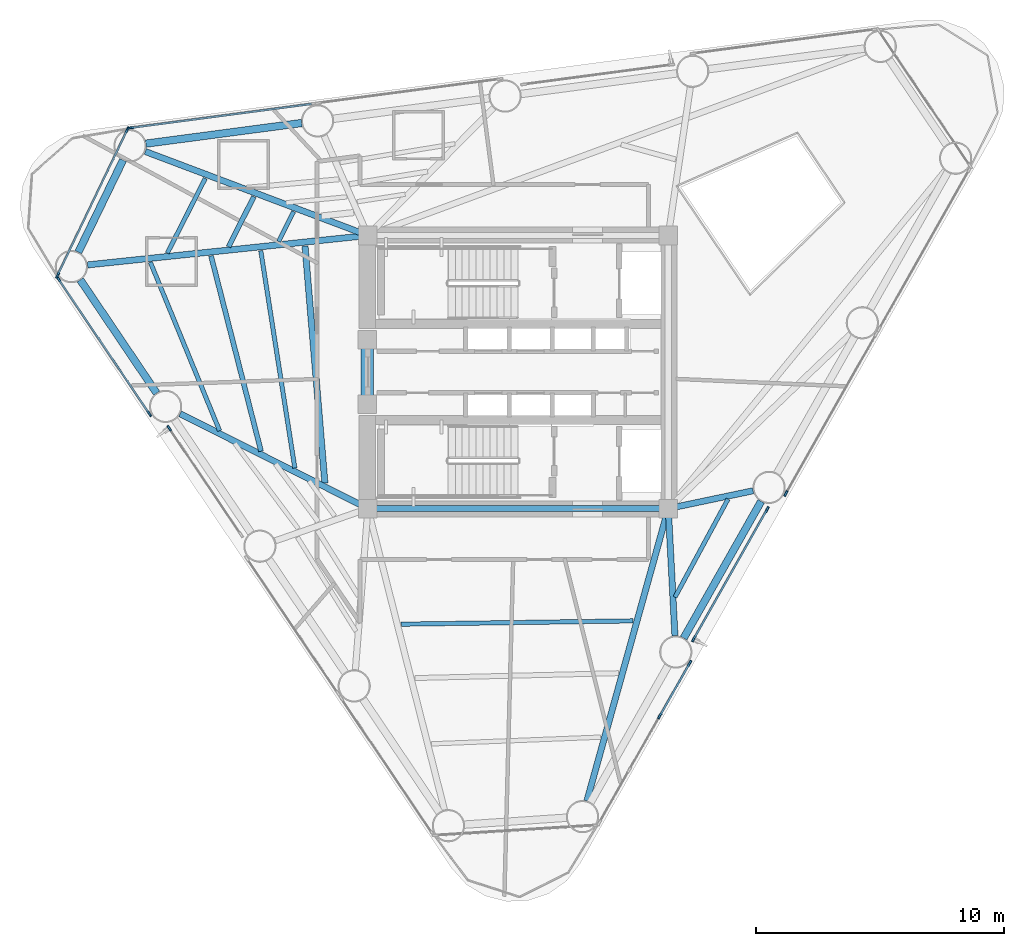
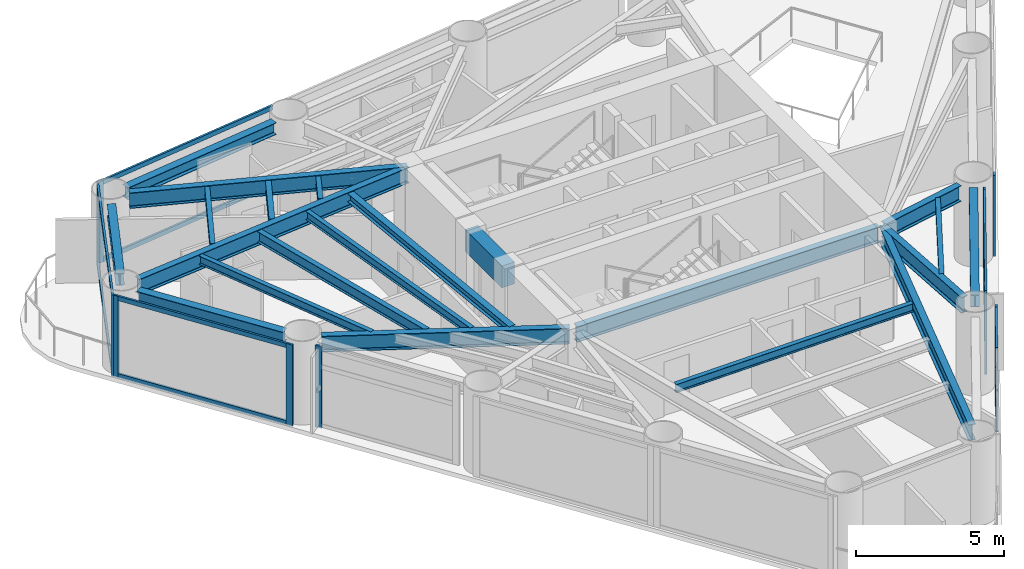
# One storey, part 2 of 9: 23 members, 21 beams, 7 elements without a shape of their own.
"""IFC4 building model written with IfcOpenShell, lengths in metres."""

import ifcopenshell
import ifcopenshell.guid

model = None  # the IFC model being written
_history = None  # IfcOwnerHistory: only IFC2X3 demands one
_inside = {}  # id of a spatial element -> (the spatial element, [elements in it])
_under = {}  # id of a project, library or spatial element -> (it, [spatial elements below it])
_declared = {}  # id of a project -> (the project, [libraries it declares])
_typed = {}  # id of a type object -> (the type object, [elements of that type])
_made_of = {}  # id of a material, layer set ... -> (it, [elements and type objects made of it])


def new_model(schema):
    """Start an empty IFC model of exactly this schema.

    Asked for "IFC4X3", IfcOpenShell would pick the latest addendum, in which some entities
    have other attributes; the version numbers below select the first issue.
    IFC2X3 requires an IfcOwnerHistory on every rooted entity: one is made here for all.
    """
    global model, _history
    if schema == "IFC4X3":
        model = ifcopenshell.file(schema_version=(4, 3, 0, 0))
    else:
        model = ifcopenshell.file(schema=schema)
    _inside.clear()
    _under.clear()
    _declared.clear()
    _typed.clear()
    _made_of.clear()
    _history = None
    if model.schema == "IFC2X3":
        org = make("IfcOrganization", Name="unknown")
        user = make(
            "IfcPersonAndOrganization",
            ThePerson=make("IfcPerson", FamilyName="unknown"),
            TheOrganization=org,
        )
        app = make(
            "IfcApplication",
            ApplicationDeveloper=org,
            Version="unknown",
            ApplicationFullName="unknown",
            ApplicationIdentifier="unknown",
        )
        _history = make(
            "IfcOwnerHistory",
            OwningUser=user,
            OwningApplication=app,
            ChangeAction="ADDED",
            CreationDate=0,
        )
    return model


def make(cls, **values):
    """One entity of the class cls with the attributes given. An attribute that is None is left unset."""
    return model.create_entity(
        cls, **{name: value for name, value in values.items() if value is not None}
    )


def rooted(cls, **values):
    """An entity with a GlobalId (a new one), such as an element, a storey or a relation."""
    return make(cls, GlobalId=ifcopenshell.guid.new(), OwnerHistory=_history, **values)


def si_unit(unit_type, name, prefix=None):
    """IfcSIUnit, for example si_unit("LENGTHUNIT", "METRE", prefix="MILLI")."""
    return make("IfcSIUnit", UnitType=unit_type, Prefix=prefix, Name=name)


def assignment(units):
    """IfcUnitAssignment: the units of a project."""
    return None if units is None else make("IfcUnitAssignment", Units=units)


def point(xyz):
    """IfcCartesianPoint."""
    return None if xyz is None else make("IfcCartesianPoint", Coordinates=xyz)


def direction(xyz):
    """IfcDirection."""
    return None if xyz is None else make("IfcDirection", DirectionRatios=xyz)


def frame(location, z_axis=None, x_axis=None):
    """IfcAxis2Placement3D, a coordinate frame: its origin and axes. An axis left out is left unset."""
    return make(
        "IfcAxis2Placement3D",
        Location=point(location),
        Axis=direction(z_axis),
        RefDirection=direction(x_axis),
    )


def frame_2d(location, x_axis=None):
    """IfcAxis2Placement2D, a coordinate frame in the plane: its origin and x axis."""
    return make(
        "IfcAxis2Placement2D", Location=point(location), RefDirection=direction(x_axis)
    )


def origin():
    """The frame at (0, 0, 0) with its axes left unset."""
    return frame((0.0, 0.0, 0.0))


def origin_2d():
    """The frame at (0, 0) in the plane with its x axis left unset."""
    return frame_2d((0.0, 0.0))


def place(relative_to, where):
    """IfcLocalPlacement: puts the frame where relative to a parent placement (None: the world)."""
    return make(
        "IfcLocalPlacement", PlacementRelTo=relative_to, RelativePlacement=where
    )


def context(
    kind, dimensions, precision=None, world=None, true_north=None, identifier=None
):
    """IfcGeometricRepresentationContext, for example the 3D "Model" context."""
    return make(
        "IfcGeometricRepresentationContext",
        ContextIdentifier=identifier,
        ContextType=kind,
        CoordinateSpaceDimension=dimensions,
        Precision=precision,
        WorldCoordinateSystem=world,
        TrueNorth=true_north,
    )


def subcontext(parent, identifier, kind, view, scale=None):
    """IfcGeometricRepresentationSubContext, for example "Body" below "Model"."""
    return make(
        "IfcGeometricRepresentationSubContext",
        ContextIdentifier=identifier,
        ContextType=kind,
        ParentContext=parent,
        TargetScale=scale,
        TargetView=view,
    )


def project(units=None, contexts=None):
    """IfcProject with its units and contexts."""
    return rooted(
        "IfcProject",
        Name="project",
        RepresentationContexts=contexts,
        UnitsInContext=assignment(units),
    )


def spatial(cls, under=None, at=None, **own):
    """A site, building, storey or space (cls), placed at a placement, below another one or the project."""
    s = rooted(cls, ObjectPlacement=at, **own)
    if under is not None:
        _under.setdefault(under.id(), (under, []))[1].append(s)
    return s


def profile(cls, at=None, kind="AREA", **sizes):
    """A parametric profile (cls). Its sizes go by their IFC names, for example OverallWidth=200.0."""
    return make(cls, ProfileType=kind, Position=at, **sizes)


def rectangle(**sizes):
    """IfcRectangleProfileDef."""
    return profile("IfcRectangleProfileDef", **sizes)


def i_section(**sizes):
    """IfcIShapeProfileDef."""
    return profile("IfcIShapeProfileDef", **sizes)


def extrude(swept, where, along, depth):
    """IfcExtrudedAreaSolid: the profile swept, set in the frame where, extruded along a direction by depth."""
    return make(
        "IfcExtrudedAreaSolid",
        SweptArea=swept,
        Position=where,
        ExtrudedDirection=direction(along),
        Depth=depth,
    )


def shape(context_of_items, identifier, shape_type, items):
    """IfcShapeRepresentation: the items that make up one representation, for example the "Body"."""
    return make(
        "IfcShapeRepresentation",
        ContextOfItems=context_of_items,
        RepresentationIdentifier=identifier,
        RepresentationType=shape_type,
        Items=items,
    )


def source(mapping_origin, context_of_items, identifier, shape_type, items):
    """IfcRepresentationMap: a shape defined once, which mapped items show again and again."""
    return make(
        "IfcRepresentationMap",
        MappingOrigin=mapping_origin,
        MappedRepresentation=shape(context_of_items, identifier, shape_type, items),
    )


def transform(
    local_origin,
    x_axis=None,
    y_axis=None,
    z_axis=None,
    scale=None,
    scale2=None,
    scale3=None,
    uniform=True,
):
    """IfcCartesianTransformationOperator3D, or its non-uniform kind. x_axis, y_axis, z_axis: its Axis1, 2, 3."""
    if uniform:
        return make(
            "IfcCartesianTransformationOperator3D",
            Axis1=direction(x_axis),
            Axis2=direction(y_axis),
            LocalOrigin=point(local_origin),
            Scale=scale,
            Axis3=direction(z_axis),
        )
    return make(
        "IfcCartesianTransformationOperator3DnonUniform",
        Axis1=direction(x_axis),
        Axis2=direction(y_axis),
        LocalOrigin=point(local_origin),
        Scale=scale,
        Axis3=direction(z_axis),
        Scale2=scale2,
        Scale3=scale3,
    )


def mapped(mapping_source, mapping_target):
    """IfcMappedItem: shows the shape of a source again, moved by a transform."""
    return make(
        "IfcMappedItem", MappingSource=mapping_source, MappingTarget=mapping_target
    )


def material(Name=None, Category=None):
    """IfcMaterial."""
    return make("IfcMaterial", Name=Name, Category=Category)


def layer(
    of_material, thickness, ventilated=None, Name=None, Category=None, Priority=None
):
    """IfcMaterialLayer: one layer of a wall or slab, of a material (None: an air gap)."""
    return make(
        "IfcMaterialLayer",
        Material=of_material,
        LayerThickness=thickness,
        IsVentilated=ventilated,
        Name=Name,
        Category=Category,
        Priority=Priority,
    )


def layer_set(layers, Name=None):
    """IfcMaterialLayerSet."""
    return make("IfcMaterialLayerSet", MaterialLayers=layers, LayerSetName=Name)


def material_profile(
    of_material, cross_section, Name=None, Category=None, Priority=None
):
    """IfcMaterialProfile: a cross section and its material."""
    return make(
        "IfcMaterialProfile",
        Name=Name,
        Material=of_material,
        Profile=cross_section,
        Priority=Priority,
        Category=Category,
    )


def profile_set(profiles, Name=None, composite=None):
    """IfcMaterialProfileSet."""
    return make(
        "IfcMaterialProfileSet",
        Name=Name,
        MaterialProfiles=profiles,
        CompositeProfile=composite,
    )


def made_of(thing, what):
    """Note that an element or type object is made of a material, layer set ...; save() writes the relation."""
    if what is not None:
        _made_of.setdefault(what.id(), (what, []))[1].append(thing)
    return thing


def type_object(cls, material=None, **own):
    """A type object (cls), such as IfcWallType, which elements share."""
    return made_of(rooted(cls, **own), material)


def element(
    cls,
    number,
    at=None,
    inside=None,
    cuts=None,
    type_object=None,
    material=None,
    context=None,
    identifier="Body",
    shape_type=None,
    held_by="IfcProductDefinitionShape",
    body=None,
    shapes=None,
    **own,
):
    """One element of the class cls, such as IfcWall. Its Tag is "e" and its number.

    at: its placement. inside: the storey or other place that contains it. cuts: it is an
    opening in that element (IfcRelVoidsElement). A single representation is given by context,
    identifier, shape_type and body (its items); several are given by shapes. held_by: the class
    of the entity that holds the representations. save() writes the other relations.
    """
    e = rooted(cls, Tag="e%d" % number, ObjectPlacement=at, **own)
    if body is not None:
        shapes = [shape(context, identifier, shape_type, body)]
    if shapes is not None:
        e.Representation = make(held_by, Representations=shapes)
    if inside is not None:
        _inside.setdefault(inside.id(), (inside, []))[1].append(e)
    if cuts is not None:
        rooted(
            "IfcRelVoidsElement", RelatingBuildingElement=cuts, RelatedOpeningElement=e
        )
    if type_object is not None:
        _typed.setdefault(type_object.id(), (type_object, []))[1].append(e)
    return made_of(e, material)


def aggregate(whole, parts):
    """IfcRelAggregates: a whole, such as a stair, and the parts it consists of."""
    return rooted("IfcRelAggregates", RelatingObject=whole, RelatedObjects=parts)


def save(model, path):
    """Write the relations noted so far, then the file.

    IfcRelAggregates (storeys below a building ...), IfcRelContainedInSpatialStructure (elements
    in a storey), IfcRelDefinesByType, IfcRelAssociatesMaterial and IfcRelDeclares: one each for
    every whole, place, type object, material and project.
    """
    for whole, parts in _under.values():
        aggregate(whole, parts)
    for where, things in _inside.values():
        rooted(
            "IfcRelContainedInSpatialStructure",
            RelatedElements=things,
            RelatingStructure=where,
        )
    for kind, things in _typed.values():
        rooted("IfcRelDefinesByType", RelatedObjects=things, RelatingType=kind)
    for what, things in _made_of.values():
        rooted("IfcRelAssociatesMaterial", RelatedObjects=things, RelatingMaterial=what)
    for by, libraries in _declared.values():
        rooted("IfcRelDeclares", RelatingContext=by, RelatedDefinitions=libraries)
    model.write(path)


model = new_model("IFC4")

# Units and contexts
model_context = context("Model", 3, precision=1e-05, world=origin(), true_north=direction((0.0, 1.0)))
body_context = subcontext(model_context, "Body", "Model", "MODEL_VIEW")
ifc_project = project(units=[si_unit("LENGTHUNIT", "METRE"), si_unit("AREAUNIT", "SQUARE_METRE"), si_unit("VOLUMEUNIT", "CUBIC_METRE"), si_unit("PLANEANGLEUNIT", "RADIAN"), si_unit("MASSUNIT", "GRAM", prefix="KILO")], contexts=[model_context])

# Site, building, storey
site_placement = place(None, origin())
site = spatial("IfcSite", under=ifc_project, at=site_placement, CompositionType="ELEMENT")
building_placement = place(site_placement, origin())
building = spatial("IfcBuilding", under=site, at=building_placement, Name="Yunling Apex Tower", CompositionType="ELEMENT")
storey_placement = place(building_placement, frame((0.0, 0.0, 176.0)))
storey = spatial("IfcBuildingStorey", under=building, at=storey_placement, Name="L43", CompositionType="ELEMENT", Elevation=176.0)

# Beams
ifc_material_1 = material(Name="Concrete C50", Category="concrete")
ifc_material_profile_1 = material_profile(ifc_material_1, rectangle(XDim=0.5, YDim=0.89990234375, at=origin_2d()))
ifc_profile_set_1 = profile_set([ifc_material_profile_1], Name="Concrete C50")
beam_type_1 = type_object("IfcBeamType", Name="BC-CPL-2", PredefinedType="BEAM", material=ifc_profile_set_1)
shared_shape_1 = source(origin(), body_context, "Body", "SweptSolid", [
    extrude(rectangle(XDim=0.5, YDim=0.89990234375, at=origin_2d()), origin(), (0.0, 0.0, 1.0), 2.5),
])
beam_1_placement = place(storey_placement, frame((-6.074951171875, -1.25, 2.820068359375), z_axis=(0.0, 1.0, 0.0), x_axis=(-1.0, 0.0, 0.0)))
element("IfcBeam", 1, at=beam_1_placement, inside=storey, type_object=beam_type_1, Name="L43 Core West Portal Coupling Beam", PredefinedType="BEAM", context=body_context, shape_type="MappedRepresentation", body=[
    mapped(shared_shape_1, transform((0.0, 0.0, 0.0), scale=1.0)),
])
ifc_material_2 = material(Name="Steel Q355B", Category="steel")
ifc_material_profile_2 = material_profile(ifc_material_2, i_section(OverallWidth=0.25, OverallDepth=0.64990234375, WebThickness=0.011962890625, FlangeThickness=0.02001953125, FilletRadius=0.02392578125, at=origin_2d()))
ifc_profile_set_2 = profile_set([ifc_material_profile_2], Name="Steel Q355B")
beam_type_2 = type_object("IfcBeamType", Name="BG-PRI-4", PredefinedType="USERDEFINED", material=ifc_profile_set_2)
shared_shape_2 = source(origin(), body_context, "Body", "SweptSolid", [
    extrude(i_section(OverallWidth=0.25, OverallDepth=0.64990234375, WebThickness=0.011962890625, FlangeThickness=0.02001953125, FilletRadius=0.02392578125, at=origin_2d()), origin(), (0.0, 0.0, 1.0), 11.7998046875),
])
beam_2_placement = place(storey_placement, frame((-5.89990234375, -5.5, 2.945068359375), z_axis=(1.0, 0.0, 0.0), x_axis=(0.0, 1.0, 0.0)))
element("IfcBeam", 2, at=beam_2_placement, inside=storey, type_object=beam_type_2, Name="L43 Core Ring Tie Beam 1", ObjectType="GIRDER", PredefinedType="USERDEFINED", context=body_context, shape_type="MappedRepresentation", body=[
    mapped(shared_shape_2, transform((0.0, 0.0, 0.0), scale=1.0)),
])
ifc_material_profile_3 = material_profile(ifc_material_2, i_section(OverallWidth=0.300048828125, OverallDepth=0.489990234375, WebThickness=0.010986328125, FlangeThickness=0.01806640625, FilletRadius=0.02197265625, at=origin_2d()))
ifc_profile_set_3 = profile_set([ifc_material_profile_3], Name="Steel Q355B")
beam_type_3 = type_object("IfcBeamType", Name="BP-SPN-2", PredefinedType="SPANDREL", material=ifc_profile_set_3)
shared_shape_3 = source(origin(), body_context, "Body", "SweptSolid", [
    extrude(i_section(OverallWidth=0.300048828125, OverallDepth=0.489990234375, WebThickness=0.010986328125, FlangeThickness=0.01806640625, FilletRadius=0.02197265625, at=origin_2d()), origin(), (0.0, 0.0, 1.0), 6.33251953125),
])
for number, where, z_axis, x_axis, name in (
    (3, (6.66943359375, -10.717529296875, 3.02490234375), (0.493030081742, 0.870012263418, 0.0), (-0.870012263418, 0.493030081742, 0.0), "L43 Perimeter Spandrel Beam 2"),
    (4, (-8.715576171875, 10.02978515625, 3.02490234375), (-0.991351373324, -0.131234349957, 0.0), (0.131234349957, -0.991351373324, 0.0), "L43 Perimeter Spandrel Beam 9"),
):
    element("IfcBeam", number, at=place(storey_placement, frame(where, z_axis=z_axis, x_axis=x_axis)), inside=storey, type_object=beam_type_3, Name=name, PredefinedType="SPANDREL", context=body_context, shape_type="MappedRepresentation", body=[
        mapped(shared_shape_3, transform((0.0, 0.0, 0.0), scale=1.0)),
    ])
shared_shape_4 = source(origin(), body_context, "Body", "SweptSolid", [
    extrude(i_section(OverallWidth=0.300048828125, OverallDepth=0.489990234375, WebThickness=0.010986328125, FlangeThickness=0.01806640625, FilletRadius=0.02197265625, at=origin_2d()), origin(), (0.0, 0.0, 1.0), 4.1240234375),
])
beam_3_placement = place(storey_placement, frame((-15.9130859375, 8.534912109375, 3.02490234375), z_axis=(-0.436645295051, -0.899633751206, 0.0), x_axis=(0.899633751206, -0.436645295051, 0.0)))
element("IfcBeam", 5, at=beam_3_placement, inside=storey, type_object=beam_type_3, Name="L43 Perimeter Spandrel Beam 10", PredefinedType="SPANDREL", context=body_context, shape_type="MappedRepresentation", body=[
    mapped(shared_shape_4, transform((0.0, 0.0, 0.0), scale=1.0)),
])
shared_shape_5 = source(origin(), body_context, "Body", "SweptSolid", [
    extrude(i_section(OverallWidth=0.300048828125, OverallDepth=0.489990234375, WebThickness=0.010986328125, FlangeThickness=0.01806640625, FilletRadius=0.02197265625, at=origin_2d()), origin(), (0.0, 0.0, 1.0), 5.5029296875),
])
beam_4_placement = place(storey_placement, frame((-17.635009765625, 3.711181640625, 3.02490234375), z_axis=(0.559227477119, -0.829014251286, 0.0), x_axis=(0.829014251286, 0.559227477119, 0.0)))
element("IfcBeam", 6, at=beam_4_placement, inside=storey, type_object=beam_type_3, Name="L43 Perimeter Spandrel Beam 11", PredefinedType="SPANDREL", context=body_context, shape_type="MappedRepresentation", body=[
    mapped(shared_shape_5, transform((0.0, 0.0, 0.0), scale=1.0)),
])
shared_shape_6 = source(origin(), body_context, "Body", "SweptSolid", [
    extrude(i_section(OverallWidth=0.25, OverallDepth=0.64990234375, WebThickness=0.011962890625, FlangeThickness=0.02001953125, FilletRadius=0.02392578125, at=origin_2d()), origin(), (0.0, 0.0, 1.0), 12.141845703125),
])
beam_5_placement = place(storey_placement, frame((2.771240234375, -17.27392578125, 2.945068359375), z_axis=(0.268272262363, 0.9633431337, 0.0), x_axis=(-0.9633431337, 0.268272262363, 0.0)))
element("IfcBeam", 7, at=beam_5_placement, inside=storey, type_object=beam_type_2, Name="L43 Radial Primary Girder R01", ObjectType="GIRDER", PredefinedType="USERDEFINED", context=body_context, shape_type="MappedRepresentation", body=[
    mapped(shared_shape_6, transform((0.0, 0.0, 0.0), scale=1.0)),
])
shared_shape_7 = source(origin(), body_context, "Body", "SweptSolid", [
    extrude(i_section(OverallWidth=0.25, OverallDepth=0.64990234375, WebThickness=0.011962890625, FlangeThickness=0.02001953125, FilletRadius=0.02392578125, at=origin_2d()), origin(), (0.0, 0.0, 1.0), 5.0478515625),
])
beam_6_placement = place(storey_placement, frame((6.317626953125, -10.620849609375, 2.945068359375), z_axis=(-0.052185671931, 0.998637399482, 0.0), x_axis=(-0.998637399482, -0.052185671931, 0.0)))
element("IfcBeam", 8, at=beam_6_placement, inside=storey, type_object=beam_type_2, Name="L43 Radial Primary Girder R02", ObjectType="GIRDER", PredefinedType="USERDEFINED", context=body_context, shape_type="MappedRepresentation", body=[
    mapped(shared_shape_7, transform((0.0, 0.0, 0.0), scale=1.0)),
])
shared_shape_8 = source(origin(), body_context, "Body", "SweptSolid", [
    extrude(i_section(OverallWidth=0.25, OverallDepth=0.64990234375, WebThickness=0.011962890625, FlangeThickness=0.02001953125, FilletRadius=0.02392578125, at=origin_2d()), origin(), (0.0, 0.0, 1.0), 3.409423828125),
])
beam_7_placement = place(storey_placement, frame((9.465087890625, -4.783203125, 2.945068359375), z_axis=(-0.978668904593, -0.205443849219, 0.0), x_axis=(0.205443849219, -0.978668904593, 0.0)))
element("IfcBeam", 9, at=beam_7_placement, inside=storey, type_object=beam_type_2, Name="L43 Radial Primary Girder R03", ObjectType="GIRDER", PredefinedType="USERDEFINED", context=body_context, shape_type="MappedRepresentation", body=[
    mapped(shared_shape_8, transform((0.0, 0.0, 0.0), scale=1.0)),
])
shared_shape_9 = source(origin(), body_context, "Body", "SweptSolid", [
    extrude(i_section(OverallWidth=0.25, OverallDepth=0.64990234375, WebThickness=0.011962890625, FlangeThickness=0.02001953125, FilletRadius=0.02392578125, at=origin_2d()), origin(), (0.0, 0.0, 1.0), 9.502685546875),
])
beam_8_placement = place(storey_placement, frame((-15.01611328125, 8.882080078125, 2.945068359375), z_axis=(0.935649587533, -0.352930374648, 0.0), x_axis=(0.352930374648, 0.935649587533, 0.0)))
element("IfcBeam", 10, at=beam_8_placement, inside=storey, type_object=beam_type_2, Name="L43 Radial Primary Girder R10", ObjectType="GIRDER", PredefinedType="USERDEFINED", context=body_context, shape_type="MappedRepresentation", body=[
    mapped(shared_shape_9, transform((0.0, 0.0, 0.0), scale=1.0)),
])
shared_shape_10 = source(origin(), body_context, "Body", "SweptSolid", [
    extrude(i_section(OverallWidth=0.25, OverallDepth=0.64990234375, WebThickness=0.011962890625, FlangeThickness=0.02001953125, FilletRadius=0.02392578125, at=origin_2d()), origin(), (0.0, 0.0, 1.0), 11.272705078125),
])
beam_9_placement = place(storey_placement, frame((-17.340576171875, 4.31396484375, 2.945068359375), z_axis=(0.99452726712, 0.104477341825, 0.0), x_axis=(-0.104477341825, 0.99452726712, 0.0)))
element("IfcBeam", 11, at=beam_9_placement, inside=storey, type_object=beam_type_2, Name="L43 Radial Primary Girder R11", ObjectType="GIRDER", PredefinedType="USERDEFINED", context=body_context, shape_type="MappedRepresentation", body=[
    mapped(shared_shape_10, transform((0.0, 0.0, 0.0), scale=1.0)),
])
shared_shape_11 = source(origin(), body_context, "Body", "SweptSolid", [
    extrude(i_section(OverallWidth=0.25, OverallDepth=0.64990234375, WebThickness=0.011962890625, FlangeThickness=0.02001953125, FilletRadius=0.02392578125, at=origin_2d()), origin(), (0.0, 0.0, 1.0), 8.389892578125),
])
beam_10_placement = place(storey_placement, frame((-13.610107421875, -1.681396484375, 2.945068359375), z_axis=(0.892603997322, -0.450841550841, 0.0), x_axis=(0.450841550841, 0.892603997322, 0.0)))
element("IfcBeam", 12, at=beam_10_placement, inside=storey, type_object=beam_type_2, Name="L43 Radial Primary Girder R12", ObjectType="GIRDER", PredefinedType="USERDEFINED", context=body_context, shape_type="MappedRepresentation", body=[
    mapped(shared_shape_11, transform((0.0, 0.0, 0.0), scale=1.0)),
])
ifc_material_profile_4 = material_profile(ifc_material_2, i_section(OverallWidth=0.175048828125, OverallDepth=0.35009765625, WebThickness=0.007080078125, FlangeThickness=0.010986328125, FilletRadius=0.013916015625, at=origin_2d()))
ifc_profile_set_4 = profile_set([ifc_material_profile_4], Name="Steel Q355B")
beam_type_4 = type_object("IfcBeamType", Name="BJ-JST-1", PredefinedType="JOIST", material=ifc_profile_set_4)
shared_shape_12 = source(origin(), body_context, "Body", "SweptSolid", [
    extrude(i_section(OverallWidth=0.175048828125, OverallDepth=0.35009765625, WebThickness=0.007080078125, FlangeThickness=0.010986328125, FilletRadius=0.013916015625, at=origin_2d()), origin(), (0.0, 0.0, 1.0), 4.488525390625),
])
beam_11_placement = place(storey_placement, frame((6.31982421875, -9.068603515625, 3.094970703125), z_axis=(0.475594391265, 0.87966469464, 0.0), x_axis=(-0.87966469464, 0.475594391265, 0.0)))
element("IfcBeam", 13, at=beam_11_placement, inside=storey, type_object=beam_type_4, Name="L43 Composite Floor Joist BJ1-2", PredefinedType="JOIST", context=body_context, shape_type="MappedRepresentation", body=[
    mapped(shared_shape_12, transform((0.0, 0.0, 0.0), scale=1.0)),
])
ifc_material_profile_5 = material_profile(ifc_material_2, i_section(OverallWidth=0.199951171875, OverallDepth=0.449951171875, WebThickness=0.009033203125, FlangeThickness=0.013916015625, FilletRadius=0.01806640625, at=origin_2d()))
ifc_profile_set_5 = profile_set([ifc_material_profile_5], Name="Steel Q355B")
beam_type_5 = type_object("IfcBeamType", Name="BS-SEC-3", PredefinedType="BEAM", material=ifc_profile_set_5)
shared_shape_13 = source(origin(), body_context, "Body", "SweptSolid", [
    extrude(i_section(OverallWidth=0.199951171875, OverallDepth=0.449951171875, WebThickness=0.009033203125, FlangeThickness=0.013916015625, FilletRadius=0.01806640625, at=origin_2d()), origin(), (0.0, 0.0, 1.0), 2.260498046875),
])
beam_12_placement = place(storey_placement, frame((-10.642578125, 7.0625, 3.044921875), z_axis=(-0.451356210078, -0.892343864003, 0.0), x_axis=(0.892343864003, -0.451356210078, 0.0)))
element("IfcBeam", 14, at=beam_12_placement, inside=storey, type_object=beam_type_5, Name="L43 Composite Floor Beam BS-10", PredefinedType="BEAM", context=body_context, shape_type="MappedRepresentation", body=[
    mapped(shared_shape_13, transform((0.0, 0.0, 0.0), scale=1.0)),
])
shared_shape_14 = source(origin(), body_context, "Body", "SweptSolid", [
    extrude(i_section(OverallWidth=0.175048828125, OverallDepth=0.35009765625, WebThickness=0.007080078125, FlangeThickness=0.010986328125, FilletRadius=0.013916015625, at=origin_2d()), origin(), (0.0, 0.0, 1.0), 3.380126953125),
])
beam_13_placement = place(storey_placement, frame((-12.59912109375, 7.80029296875, 3.094970703125), z_axis=(-0.452665854376, -0.891680225351, 0.0), x_axis=(0.891680225351, -0.452665854376, 0.0)))
element("IfcBeam", 15, at=beam_13_placement, inside=storey, type_object=beam_type_4, Name="L43 Composite Floor Joist BJ1-10", PredefinedType="JOIST", context=body_context, shape_type="MappedRepresentation", body=[
    mapped(shared_shape_14, transform((0.0, 0.0, 0.0), scale=1.0)),
])
shared_shape_15 = source(origin(), body_context, "Body", "SweptSolid", [
    extrude(i_section(OverallWidth=0.175048828125, OverallDepth=0.35009765625, WebThickness=0.007080078125, FlangeThickness=0.010986328125, FilletRadius=0.013916015625, at=origin_2d()), origin(), (0.0, 0.0, 1.0), 1.34375),
])
beam_14_placement = place(storey_placement, frame((-9.0419921875, 6.45849609375, 3.094970703125), z_axis=(-0.448956972961, -0.893553376374, 0.0), x_axis=(0.893553376374, -0.448956972961, 0.0)))
element("IfcBeam", 16, at=beam_14_placement, inside=storey, type_object=beam_type_4, Name="L43 Composite Floor Joist BJ3-10", PredefinedType="JOIST", context=body_context, shape_type="MappedRepresentation", body=[
    mapped(shared_shape_15, transform((0.0, 0.0, 0.0), scale=1.0)),
])
shared_shape_16 = source(origin(), body_context, "Body", "SweptSolid", [
    extrude(i_section(OverallWidth=0.199951171875, OverallDepth=0.449951171875, WebThickness=0.009033203125, FlangeThickness=0.013916015625, FilletRadius=0.01806640625, at=origin_2d()), origin(), (0.0, 0.0, 1.0), 8.121337890625),
])
beam_15_placement = place(storey_placement, frame((-12.3681640625, 4.677001953125, 3.044921875), z_axis=(0.247914612688, -0.968781887122, 0.0), x_axis=(0.968781887122, 0.247914612688, 0.0)))
element("IfcBeam", 17, at=beam_15_placement, inside=storey, type_object=beam_type_5, Name="L43 Composite Floor Beam BS-11", PredefinedType="BEAM", context=body_context, shape_type="MappedRepresentation", body=[
    mapped(shared_shape_16, transform((0.0, 0.0, 0.0), scale=1.0)),
])
shared_shape_17 = source(origin(), body_context, "Body", "SweptSolid", [
    extrude(i_section(OverallWidth=0.175048828125, OverallDepth=0.35009765625, WebThickness=0.007080078125, FlangeThickness=0.010986328125, FilletRadius=0.013916015625, at=origin_2d()), origin(), (0.0, 0.0, 1.0), 7.34130859375),
])
beam_16_placement = place(storey_placement, frame((-14.8134765625, 4.425048828125, 3.094970703125), z_axis=(0.380043851262, -0.924968470337, 0.0), x_axis=(0.924968470337, 0.380043851262, 0.0)))
element("IfcBeam", 18, at=beam_16_placement, inside=storey, type_object=beam_type_4, Name="L43 Composite Floor Joist BJ1-11", PredefinedType="JOIST", context=body_context, shape_type="MappedRepresentation", body=[
    mapped(shared_shape_17, transform((0.0, 0.0, 0.0), scale=1.0)),
])
shared_shape_18 = source(origin(), body_context, "Body", "SweptSolid", [
    extrude(i_section(OverallWidth=0.175048828125, OverallDepth=0.35009765625, WebThickness=0.007080078125, FlangeThickness=0.010986328125, FilletRadius=0.013916015625, at=origin_2d()), origin(), (0.0, 0.0, 1.0), 8.861328125),
])
beam_17_placement = place(storey_placement, frame((-10.364990234375, 4.885986328125, 3.094970703125), z_axis=(0.154946679134, -0.987922834348, 0.0), x_axis=(0.987922834348, 0.154946679134, 0.0)))
element("IfcBeam", 19, at=beam_17_placement, inside=storey, type_object=beam_type_4, Name="L43 Composite Floor Joist BJ3-11", PredefinedType="JOIST", context=body_context, shape_type="MappedRepresentation", body=[
    mapped(shared_shape_18, transform((0.0, 0.0, 0.0), scale=1.0)),
])
ifc_material_profile_6 = material_profile(ifc_material_2, i_section(OverallWidth=0.25, OverallDepth=0.340087890625, WebThickness=0.009033203125, FlangeThickness=0.013916015625, FilletRadius=0.01806640625, at=origin_2d()))
ifc_profile_set_6 = profile_set([ifc_material_profile_6], Name="Steel Q355B")
beam_type_6 = type_object("IfcBeamType", Name="BJ-JST-2", PredefinedType="JOIST", material=ifc_profile_set_6)
shared_shape_19 = source(origin(), body_context, "Body", "SweptSolid", [
    extrude(i_section(OverallWidth=0.25, OverallDepth=0.340087890625, WebThickness=0.009033203125, FlangeThickness=0.013916015625, FilletRadius=0.01806640625, at=origin_2d()), origin(), (0.0, 0.0, 1.0), 9.578857421875),
])
beam_18_placement = place(storey_placement, frame((-8.582763671875, 5.072998046875, 3.10009765625), z_axis=(0.083572791263, -0.996501675142, 0.0), x_axis=(0.996501675142, 0.083572791263, 0.0)))
element("IfcBeam", 20, at=beam_18_placement, inside=storey, type_object=beam_type_6, Name="L43 Composite Floor Joist BJ2-11", PredefinedType="JOIST", context=body_context, shape_type="MappedRepresentation", body=[
    mapped(shared_shape_19, transform((0.0, 0.0, 0.0), scale=1.0)),
])
shared_shape_20 = source(origin(), body_context, "Body", "SweptSolid", [
    extrude(i_section(OverallWidth=0.175048828125, OverallDepth=0.35009765625, WebThickness=0.007080078125, FlangeThickness=0.010986328125, FilletRadius=0.013916015625, at=origin_2d()), origin(), (0.0, 0.0, 1.0), 9.337890625),
])
beam_19_placement = place(storey_placement, frame((-4.706298828125, -10.157958984375, 3.094970703125), z_axis=(0.99989735504, 0.014327574275, 0.0), x_axis=(-0.014327574275, 0.99989735504, 0.0)))
element("IfcBeam", 21, at=beam_19_placement, inside=storey, type_object=beam_type_4, Name="L43 Composite Floor Joist BJ3-15", PredefinedType="JOIST", context=body_context, shape_type="MappedRepresentation", body=[
    mapped(shared_shape_20, transform((0.0, 0.0, 0.0), scale=1.0)),
])

# Curtain wall, members
ifc_material_3 = material(Name="Bronze anodised aluminium", Category="aluminium")
ifc_layer = layer(ifc_material_3, 0.239990234375)
ifc_layer_set = layer_set([ifc_layer], Name="Bronze anodised aluminium")
curtain_wall_type = type_object("IfcCurtainWallType", Name="CW-SYS-3", PredefinedType="NOTDEFINED", material=ifc_layer_set)
curtain_wall_1_placement = place(storey_placement, origin())
curtain_wall_1 = element("IfcCurtainWall", 22, at=curtain_wall_1_placement, inside=storey, type_object=curtain_wall_type, Name="CW-L43-F1-B1", PredefinedType="NOTDEFINED")
ifc_material_profile_7 = material_profile(ifc_material_3, rectangle(XDim=0.080078125, YDim=0.239990234375, at=origin_2d()))
ifc_profile_set_7 = profile_set([ifc_material_profile_7], Name="Bronze anodised aluminium")
member_type_1 = type_object("IfcMemberType", Name="CW-MUL-3", PredefinedType="MULLION", material=ifc_profile_set_7)
shared_shape_21 = source(origin(), body_context, "Body", "SweptSolid", [
    extrude(rectangle(XDim=0.080078125, YDim=0.239990234375, at=origin_2d()), origin(), (0.0, 0.0, 1.0), 3.3701171875),
])
member_1_placement = place(storey_placement, frame((5.7041015625, -13.861083984375, -0.050048828125), z_axis=(0.0, 0.0, 1.0), x_axis=(-0.870006087438, 0.493040979859, 0.0)))
member_1 = element("IfcMember", 23, at=member_1_placement, type_object=member_type_1, Name="CW-SYS-3 mullion 3", PredefinedType="MULLION", context=body_context, shape_type="MappedRepresentation", body=[
    mapped(shared_shape_21, transform((0.0, 0.0, 0.0), scale=1.0)),
])
member_2_placement = place(storey_placement, frame((6.910400390625, -11.732421875, -0.050048828125), z_axis=(0.0, 0.0, 1.0), x_axis=(-0.870006087438, 0.493040979859, 0.0)))
member_2 = element("IfcMember", 24, at=member_2_placement, type_object=member_type_1, Name="CW-SYS-3 mullion 4", PredefinedType="MULLION", context=body_context, shape_type="MappedRepresentation", body=[
    mapped(shared_shape_21, transform((0.0, 0.0, 0.0), scale=1.0)),
])

curtain_wall_2_placement = place(storey_placement, origin())
curtain_wall_2 = element("IfcCurtainWall", 25, at=curtain_wall_2_placement, inside=storey, type_object=curtain_wall_type, Name="CW-L43-F1-B2", PredefinedType="NOTDEFINED")
member_3_placement = place(storey_placement, frame((7.0732421875, -10.755615234375, -0.050048828125), z_axis=(0.0, 0.0, 1.0), x_axis=(-0.87000266867, 0.493047012471, 0.0)))
member_3 = element("IfcMember", 26, at=member_3_placement, type_object=member_type_1, Name="CW-SYS-3 mullion 1", PredefinedType="MULLION", context=body_context, shape_type="MappedRepresentation", body=[
    mapped(shared_shape_21, transform((0.0, 0.0, 0.0), scale=1.0)),
])
member_4_placement = place(storey_placement, frame((10.03173828125, -5.53515625, -0.050048828125), z_axis=(0.0, 0.0, 1.0), x_axis=(-0.87000266867, 0.493047012471, 0.0)))
member_4 = element("IfcMember", 27, at=member_4_placement, type_object=member_type_1, Name="CW-SYS-3 mullion 2", PredefinedType="MULLION", context=body_context, shape_type="MappedRepresentation", body=[
    mapped(shared_shape_21, transform((0.0, 0.0, 0.0), scale=1.0)),
])

# Curtain wall, member
curtain_wall_3_placement = place(storey_placement, origin())
curtain_wall_3 = element("IfcCurtainWall", 28, at=curtain_wall_3_placement, inside=storey, type_object=curtain_wall_type, Name="CW-L43-F1-B3", PredefinedType="NOTDEFINED")
member_5_placement = place(storey_placement, frame((10.785888671875, -4.8935546875, -0.050048828125), z_axis=(0.0, 0.0, 1.0), x_axis=(-0.870009345679, 0.493035230416, 0.0)))
member_5 = element("IfcMember", 29, at=member_5_placement, type_object=member_type_1, Name="CW-SYS-3 mullion 1", PredefinedType="MULLION", context=body_context, shape_type="MappedRepresentation", body=[
    mapped(shared_shape_21, transform((0.0, 0.0, 0.0), scale=1.0)),
])
aggregate(curtain_wall_3, [member_5])

curtain_wall_4_placement = place(storey_placement, origin())
curtain_wall_4 = element("IfcCurtainWall", 30, at=curtain_wall_4_placement, inside=storey, type_object=curtain_wall_type, Name="CW-L43-F2-B4", PredefinedType="NOTDEFINED")
member_6_placement = place(storey_placement, frame((-15.60595703125, 9.833740234375, -0.050048828125), z_axis=(0.0, 0.0, 1.0), x_axis=(0.131222473138, -0.991352945496, 0.0)))
member_6 = element("IfcMember", 31, at=member_6_placement, type_object=member_type_1, Name="CW-SYS-3 mullion 2", PredefinedType="MULLION", context=body_context, shape_type="MappedRepresentation", body=[
    mapped(shared_shape_21, transform((0.0, 0.0, 0.0), scale=1.0)),
])

# Curtain wall, members
curtain_wall_5_placement = place(storey_placement, origin())
curtain_wall_5 = element("IfcCurtainWall", 32, at=curtain_wall_5_placement, inside=storey, type_object=curtain_wall_type, Name="CW-L43-CRN2", PredefinedType="NOTDEFINED")
member_7_placement = place(storey_placement, frame((-15.73974609375, 9.76220703125, -0.050048828125), z_axis=(0.0, 0.0, 1.0), x_axis=(0.901876554496, -0.431993843071, 0.0)))
member_7 = element("IfcMember", 33, at=member_7_placement, type_object=member_type_1, Name="CW-SYS-3 mullion 1", PredefinedType="MULLION", context=body_context, shape_type="MappedRepresentation", body=[
    mapped(shared_shape_21, transform((0.0, 0.0, 0.0), scale=1.0)),
])
member_8_placement = place(storey_placement, frame((-18.5498046875, 3.8955078125, -0.050048828125), z_axis=(0.0, 0.0, 1.0), x_axis=(0.901876554496, -0.431993843071, 0.0)))
member_8 = element("IfcMember", 34, at=member_8_placement, type_object=member_type_1, Name="CW-SYS-3 mullion 2", PredefinedType="MULLION", context=body_context, shape_type="MappedRepresentation", body=[
    mapped(shared_shape_21, transform((0.0, 0.0, 0.0), scale=1.0)),
])

curtain_wall_6_placement = place(storey_placement, origin())
curtain_wall_6 = element("IfcCurtainWall", 35, at=curtain_wall_6_placement, inside=storey, type_object=curtain_wall_type, Name="CW-L43-F3-B1", PredefinedType="NOTDEFINED")
member_9_placement = place(storey_placement, frame((-18.5166015625, 3.748779296875, -0.050048828125), z_axis=(0.0, 0.0, 1.0), x_axis=(0.829045302692, 0.559181442901, 0.0)))
member_9 = element("IfcMember", 36, at=member_9_placement, type_object=member_type_1, Name="CW-SYS-3 mullion 1", PredefinedType="MULLION", context=body_context, shape_type="MappedRepresentation", body=[
    mapped(shared_shape_21, transform((0.0, 0.0, 0.0), scale=1.0)),
])
member_10_placement = place(storey_placement, frame((-14.853271484375, -1.682373046875, -0.050048828125), z_axis=(0.0, 0.0, 1.0), x_axis=(0.829045302692, 0.559181442901, 0.0)))
member_10 = element("IfcMember", 37, at=member_10_placement, type_object=member_type_1, Name="CW-SYS-3 mullion 2", PredefinedType="MULLION", context=body_context, shape_type="MappedRepresentation", body=[
    mapped(shared_shape_21, transform((0.0, 0.0, 0.0), scale=1.0)),
])

# Curtain wall, member
curtain_wall_7_placement = place(storey_placement, origin())
curtain_wall_7 = element("IfcCurtainWall", 38, at=curtain_wall_7_placement, inside=storey, type_object=curtain_wall_type, Name="CW-L43-F3-B2", PredefinedType="NOTDEFINED")
member_11_placement = place(storey_placement, frame((-14.05126953125, -2.263427734375, -0.050048828125), z_axis=(0.0, 0.0, 1.0), x_axis=(0.829026137089, 0.559209856873, 0.0)))
member_11 = element("IfcMember", 39, at=member_11_placement, type_object=member_type_1, Name="CW-SYS-3 mullion 1", PredefinedType="MULLION", context=body_context, shape_type="MappedRepresentation", body=[
    mapped(shared_shape_21, transform((0.0, 0.0, 0.0), scale=1.0)),
])
aggregate(curtain_wall_7, [member_11])

# Member
ifc_material_profile_8 = material_profile(ifc_material_3, rectangle(XDim=0.080078125, YDim=0.18505859375, at=origin_2d()))
ifc_profile_set_8 = profile_set([ifc_material_profile_8], Name="Bronze anodised aluminium")
member_type_2 = type_object("IfcMemberType", Name="CW-TRN-3", PredefinedType="USERDEFINED", material=ifc_profile_set_8)
shared_shape_22 = source(origin(), body_context, "Body", "SweptSolid", [
    extrude(rectangle(XDim=0.080078125, YDim=0.18505859375, at=origin_2d()), origin(), (0.0, 0.0, 1.0), 2.374755859375),
])
member_12_placement = place(storey_placement, frame((5.721923828125, -13.829833984375, 0.0400390625), z_axis=(0.493035916127, 0.870008957085, 0.0), x_axis=(-0.870008957085, 0.493035916127, 0.0)))
member_12 = element("IfcMember", 40, at=member_12_placement, type_object=member_type_2, Name="CW-SYS-3 transom 3.1", ObjectType="TRANSOM", PredefinedType="USERDEFINED", context=body_context, shape_type="MappedRepresentation", body=[
    mapped(shared_shape_22, transform((0.0, 0.0, 0.0), scale=1.0)),
])

member_13_placement = place(storey_placement, frame((5.721923828125, -13.829833984375, 2.485107421875), z_axis=(0.493035916127, 0.870008957085, 0.0), x_axis=(-0.870008957085, 0.493035916127, 0.0)))
member_13 = element("IfcMember", 41, at=member_13_placement, type_object=member_type_2, Name="CW-SYS-3 transom 3.2", ObjectType="TRANSOM", PredefinedType="USERDEFINED", context=body_context, shape_type="MappedRepresentation", body=[
    mapped(shared_shape_22, transform((0.0, 0.0, 0.0), scale=1.0)),
])

member_14_placement = place(storey_placement, frame((5.721923828125, -13.829833984375, 3.22998046875), z_axis=(0.493035916127, 0.870008957085, 0.0), x_axis=(-0.870008957085, 0.493035916127, 0.0)))
member_14 = element("IfcMember", 42, at=member_14_placement, type_object=member_type_2, Name="CW-SYS-3 transom 3.3", ObjectType="TRANSOM", PredefinedType="USERDEFINED", context=body_context, shape_type="MappedRepresentation", body=[
    mapped(shared_shape_22, transform((0.0, 0.0, 0.0), scale=1.0)),
])

aggregate(curtain_wall_1, [member_1, member_2, member_12, member_13, member_14])

shared_shape_23 = source(origin(), body_context, "Body", "SweptSolid", [
    extrude(rectangle(XDim=0.080078125, YDim=0.18505859375, at=origin_2d()), origin(), (0.0, 0.0, 1.0), 5.9287109375),
])
member_15_placement = place(storey_placement, frame((7.0908203125, -10.724365234375, 0.0400390625), z_axis=(0.49304478118, 0.870003933182, 0.0), x_axis=(-0.870003933182, 0.49304478118, 0.0)))
member_15 = element("IfcMember", 43, at=member_15_placement, type_object=member_type_2, Name="CW-SYS-3 transom 1.1", ObjectType="TRANSOM", PredefinedType="USERDEFINED", context=body_context, shape_type="MappedRepresentation", body=[
    mapped(shared_shape_23, transform((0.0, 0.0, 0.0), scale=1.0)),
])

member_16_placement = place(storey_placement, frame((7.0908203125, -10.724365234375, 2.485107421875), z_axis=(0.49304478118, 0.870003933182, 0.0), x_axis=(-0.870003933182, 0.49304478118, 0.0)))
member_16 = element("IfcMember", 44, at=member_16_placement, type_object=member_type_2, Name="CW-SYS-3 transom 1.2", ObjectType="TRANSOM", PredefinedType="USERDEFINED", context=body_context, shape_type="MappedRepresentation", body=[
    mapped(shared_shape_23, transform((0.0, 0.0, 0.0), scale=1.0)),
])

member_17_placement = place(storey_placement, frame((7.0908203125, -10.724365234375, 3.22998046875), z_axis=(0.49304478118, 0.870003933182, 0.0), x_axis=(-0.870003933182, 0.49304478118, 0.0)))
member_17 = element("IfcMember", 45, at=member_17_placement, type_object=member_type_2, Name="CW-SYS-3 transom 1.3", ObjectType="TRANSOM", PredefinedType="USERDEFINED", context=body_context, shape_type="MappedRepresentation", body=[
    mapped(shared_shape_23, transform((0.0, 0.0, 0.0), scale=1.0)),
])

aggregate(curtain_wall_2, [member_3, member_4, member_15, member_16, member_17])

shared_shape_24 = source(origin(), body_context, "Body", "SweptSolid", [
    extrude(rectangle(XDim=0.080078125, YDim=0.18505859375, at=origin_2d()), origin(), (0.0, 0.0, 1.0), 7.30859375),
])
member_18_placement = place(storey_placement, frame((-8.324951171875, 10.797607421875, 0.0400390625), z_axis=(-0.991354063091, -0.131214029714, 0.0), x_axis=(0.131214029714, -0.991354063091, 0.0)))
member_18 = element("IfcMember", 46, at=member_18_placement, type_object=member_type_2, Name="CW-SYS-3 transom 1.1", ObjectType="TRANSOM", PredefinedType="USERDEFINED", context=body_context, shape_type="MappedRepresentation", body=[
    mapped(shared_shape_24, transform((0.0, 0.0, 0.0), scale=1.0)),
])

member_19_placement = place(storey_placement, frame((-8.324951171875, 10.797607421875, 3.22998046875), z_axis=(-0.991354063091, -0.131214029714, 0.0), x_axis=(0.131214029714, -0.991354063091, 0.0)))
member_19 = element("IfcMember", 47, at=member_19_placement, type_object=member_type_2, Name="CW-SYS-3 transom 1.2", ObjectType="TRANSOM", PredefinedType="USERDEFINED", context=body_context, shape_type="MappedRepresentation", body=[
    mapped(shared_shape_24, transform((0.0, 0.0, 0.0), scale=1.0)),
])

aggregate(curtain_wall_4, [member_6, member_18, member_19])

shared_shape_25 = source(origin(), body_context, "Body", "SweptSolid", [
    extrude(rectangle(XDim=0.080078125, YDim=0.18505859375, at=origin_2d()), origin(), (0.0, 0.0, 1.0), 6.43310546875),
])
member_20_placement = place(storey_placement, frame((-15.755126953125, 9.729736328125, 0.0400390625), z_axis=(-0.431999289768, -0.901873945538, 0.0), x_axis=(0.901873945538, -0.431999289768, 0.0)))
member_20 = element("IfcMember", 48, at=member_20_placement, type_object=member_type_2, Name="CW-SYS-3 transom 1.1", ObjectType="TRANSOM", PredefinedType="USERDEFINED", context=body_context, shape_type="MappedRepresentation", body=[
    mapped(shared_shape_25, transform((0.0, 0.0, 0.0), scale=1.0)),
])

member_21_placement = place(storey_placement, frame((-15.755126953125, 9.729736328125, 3.22998046875), z_axis=(-0.431999289768, -0.901873945538, 0.0), x_axis=(0.901873945538, -0.431999289768, 0.0)))
member_21 = element("IfcMember", 49, at=member_21_placement, type_object=member_type_2, Name="CW-SYS-3 transom 1.2", ObjectType="TRANSOM", PredefinedType="USERDEFINED", context=body_context, shape_type="MappedRepresentation", body=[
    mapped(shared_shape_25, transform((0.0, 0.0, 0.0), scale=1.0)),
])

aggregate(curtain_wall_5, [member_7, member_8, member_20, member_21])

shared_shape_26 = source(origin(), body_context, "Body", "SweptSolid", [
    extrude(rectangle(XDim=0.080078125, YDim=0.18505859375, at=origin_2d()), origin(), (0.0, 0.0, 1.0), 6.479248046875),
])
member_22_placement = place(storey_placement, frame((-18.496337890625, 3.718994140625, 0.0400390625), z_axis=(0.559179012054, -0.829046942265, 0.0), x_axis=(0.829046942265, 0.559179012054, 0.0)))
member_22 = element("IfcMember", 50, at=member_22_placement, type_object=member_type_2, Name="CW-SYS-3 transom 1.1", ObjectType="TRANSOM", PredefinedType="USERDEFINED", context=body_context, shape_type="MappedRepresentation", body=[
    mapped(shared_shape_26, transform((0.0, 0.0, 0.0), scale=1.0)),
])

member_23_placement = place(storey_placement, frame((-18.496337890625, 3.718994140625, 3.22998046875), z_axis=(0.559179012054, -0.829046942265, 0.0), x_axis=(0.829046942265, 0.559179012054, 0.0)))
member_23 = element("IfcMember", 51, at=member_23_placement, type_object=member_type_2, Name="CW-SYS-3 transom 1.2", ObjectType="TRANSOM", PredefinedType="USERDEFINED", context=body_context, shape_type="MappedRepresentation", body=[
    mapped(shared_shape_26, transform((0.0, 0.0, 0.0), scale=1.0)),
])

aggregate(curtain_wall_6, [member_9, member_10, member_22, member_23])

save(model, "model.ifc")
